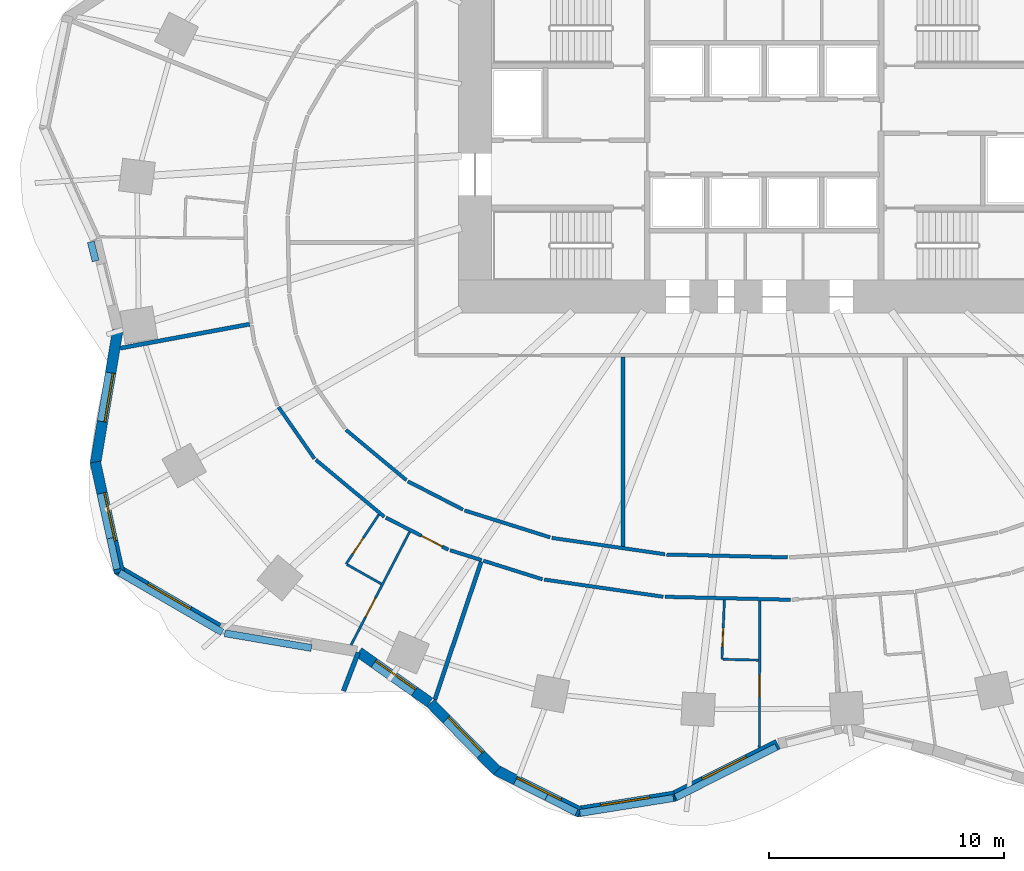
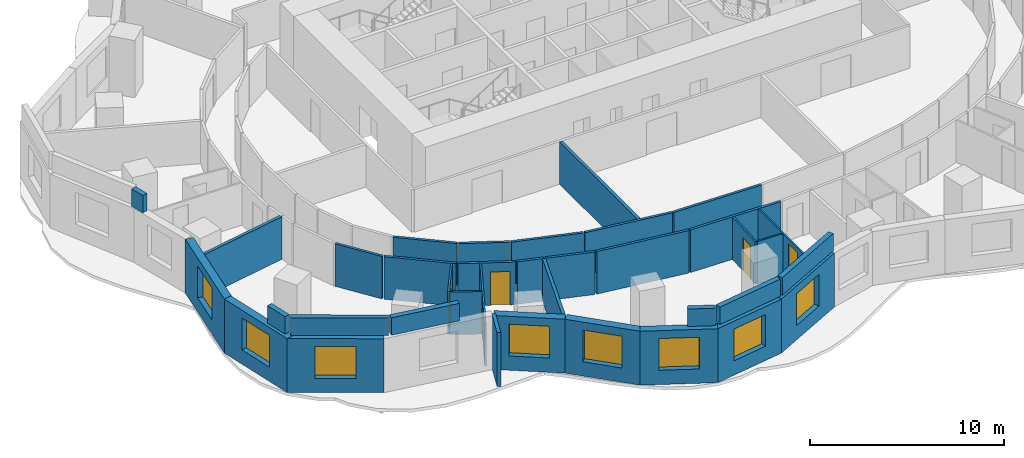
# One storey, part 3 of 11: 37 walls, 8 windows, 5 doors, 13 openings.
"""IFC4 building model written with IfcOpenShell, lengths in metres."""

from ifc_helpers import new_model, si_unit, direction, frame, frame_2d, origin, place, context, subcontext, project, spatial, rectangle, extrude, material, layer, layer_set, type_object, element, fill, save


model = new_model("IFC4")

# Units and contexts
model_context = context("Model", 3, precision=1e-05, world=origin(), true_north=direction((0.0, 1.0)))
body_context = subcontext(model_context, "Body", "Model", "MODEL_VIEW")
ifc_project = project(units=[si_unit("LENGTHUNIT", "METRE"), si_unit("AREAUNIT", "SQUARE_METRE"), si_unit("VOLUMEUNIT", "CUBIC_METRE"), si_unit("PLANEANGLEUNIT", "RADIAN"), si_unit("MASSUNIT", "GRAM", prefix="KILO")], contexts=[model_context])

# Site, building, storey
site_placement = place(None, origin())
site = spatial("IfcSite", under=ifc_project, at=site_placement, CompositionType="ELEMENT")
building_placement = place(site_placement, origin())
building = spatial("IfcBuilding", under=site, at=building_placement, Name="Rubra Terraces Tower", CompositionType="ELEMENT")
storey_placement = place(building_placement, frame((0.0, 0.0, 66.300048828125)))
storey = spatial("IfcBuildingStorey", under=building, at=storey_placement, Name="L14", CompositionType="ELEMENT", Elevation=66.300048828125)

# Walls
ifc_material_1 = material(Name="Twin plasterboard on staggered steel stud, acoustic mineral wool", Category="steel")
ifc_layer_1 = layer(ifc_material_1, 0.175048828125)
ifc_layer_set_1 = layer_set([ifc_layer_1], Name="Twin plasterboard on staggered steel stud, acoustic mineral wool")
wall_type_1 = type_object("IfcWallType", Name="ACOUSTIC PARTY WALL 175", PredefinedType="PARTITIONING", material=ifc_layer_set_1)
wall_1_placement = place(storey_placement, frame((-27.3955078125, -4.491455078125, 0.0), z_axis=(0.0, 0.0, 1.0), x_axis=(0.983238590395, 0.182323543069, 0.0)))
element("IfcWall", 1, at=wall_1_placement, inside=storey, type_object=wall_type_1, Name="PARTITION", PredefinedType="PARTITIONING", context=body_context, shape_type="SweptSolid", body=[
    extrude(rectangle(XDim=5.59716796875, YDim=0.175048828125, at=frame_2d((2.798583984375, 0.0))), origin(), (0.0, 0.0, 1.0), 2.679931640625),
])
wall_2_placement = place(storey_placement, frame((-14.014404296875, -19.44677734375, 0.0), z_axis=(0.0, 0.0, 1.0), x_axis=(0.31884215866, 0.947807827495, 0.0)))
element("IfcWall", 2, at=wall_2_placement, inside=storey, type_object=wall_type_1, Name="PARTITION", PredefinedType="PARTITIONING", context=body_context, shape_type="SweptSolid", body=[
    extrude(rectangle(XDim=6.1884765625, YDim=0.175048828125, at=frame_2d((3.09423828125, 0.0))), origin(), (0.0, 0.0, 1.0), 2.679931640625),
])
wall_3_placement = place(storey_placement, frame((-6.0, -12.925537109375, 0.0), z_axis=(0.0, 0.0, 1.0), x_axis=(0.0, 1.0, 0.0)))
element("IfcWall", 3, at=wall_3_placement, inside=storey, type_object=wall_type_1, Name="PARTITION", PredefinedType="PARTITIONING", context=body_context, shape_type="SweptSolid", body=[
    extrude(rectangle(XDim=8.050537109375, YDim=0.175048828125, at=frame_2d((4.025390625, 0.0))), origin(), (0.0, 0.0, 1.0), 2.679931640625),
])

# Wall, opening, window
ifc_material_2 = material(Name="Brick masonry red-brown", Category="masonry")
ifc_layer_2 = layer(ifc_material_2, 0.449951171875)
ifc_layer_set_2 = layer_set([ifc_layer_2], Name="Brick masonry red-brown")
wall_type_2 = type_object("IfcWallType", Name="Brick facade wall 450", PredefinedType="SOLIDWALL", material=ifc_layer_set_2)
wall_4_placement = place(storey_placement, frame((-27.50048828125, -3.732177734375, 0.0), z_axis=(0.0, 0.0, 1.0), x_axis=(-0.165174419367, -0.986264371853, 0.0)))
wall_4 = element("IfcWall", 4, at=wall_4_placement, inside=storey, type_object=wall_type_2, Name="Facade wall L14 bay 22", PredefinedType="SOLIDWALL", context=body_context, shape_type="SweptSolid", body=[
    extrude(rectangle(XDim=5.76904296875, YDim=0.449951171875, at=frame_2d((2.884521484375, 0.0))), origin(), (0.0, 0.0, 1.0), 3.39990234375),
])
opening_1_placement = place(wall_4_placement, frame((1.83447265625, 0.0, 0.89990234375)))
opening_1 = element("IfcOpeningElement", 5, at=opening_1_placement, cuts=wall_4, Name="Opening W1", PredefinedType="OPENING", context=body_context, shape_type="SweptSolid", body=[
    extrude(rectangle(XDim=2.10009765625, YDim=2.0, at=frame_2d((1.050048828125, 1.0))), frame((0.0, 0.23486328125, 0.0), z_axis=(0.0, -1.0, 0.0), x_axis=(1.0, 0.0, 0.0)), (0.0, 0.0, 1.0), 0.469970703125),
])
ifc_material_3 = material(Name="Clear glass in aluminium frame", Category="aluminium")
window_type = type_object("IfcWindowType", Name="Fixed deep-set window 2100 x 2000", PartitioningType="SINGLE_PANEL", PredefinedType="WINDOW", material=ifc_material_3)
window_1_placement = place(opening_1_placement, origin())
window_1 = element("IfcWindow", 6, at=window_1_placement, inside=storey, type_object=window_type, Name="Window L14 bay 22", OverallHeight=2.0, OverallWidth=2.10009765625, PartitioningType="SINGLE_PANEL", PredefinedType="WINDOW", context=body_context, shape_type="SweptSolid", body=[
    extrude(rectangle(XDim=2.10009765625, YDim=2.0, at=frame_2d((1.050048828125, 1.0))), frame((0.0, 0.135009765625, 0.0), z_axis=(0.0, -1.0, 0.0), x_axis=(1.0, 0.0, 0.0)), (0.0, 0.0, 1.0), 0.06005859375),
])
fill(opening_1, window_1)

wall_5_placement = place(storey_placement, frame((-28.45556640625, -9.336669921875, 0.0), z_axis=(0.0, 0.0, 1.0), x_axis=(0.213878425795, -0.976860286315, 0.0)))
wall_5 = element("IfcWall", 7, at=wall_5_placement, inside=storey, type_object=wall_type_2, Name="Facade wall L14 bay 23", PredefinedType="SOLIDWALL", context=body_context, shape_type="SweptSolid", body=[
    extrude(rectangle(XDim=4.8125, YDim=0.449951171875, at=frame_2d((2.40625, 0.0))), origin(), (0.0, 0.0, 1.0), 3.39990234375),
])
opening_2_placement = place(wall_5_placement, frame((1.356201171875, 0.0, 0.89990234375)))
opening_2 = element("IfcOpeningElement", 8, at=opening_2_placement, cuts=wall_5, Name="Opening W1", PredefinedType="OPENING", context=body_context, shape_type="SweptSolid", body=[
    extrude(rectangle(XDim=2.10009765625, YDim=2.0, at=frame_2d((1.050048828125, 1.0))), frame((0.0, 0.23486328125, 0.0), z_axis=(0.0, -1.0, 0.0), x_axis=(1.0, 0.0, 0.0)), (0.0, 0.0, 1.0), 0.469970703125),
])
window_2_placement = place(opening_2_placement, origin())
window_2 = element("IfcWindow", 9, at=window_2_placement, inside=storey, type_object=window_type, Name="Window L14 bay 23", OverallHeight=2.0, OverallWidth=2.10009765625, PartitioningType="SINGLE_PANEL", PredefinedType="WINDOW", context=body_context, shape_type="SweptSolid", body=[
    extrude(rectangle(XDim=2.10009765625, YDim=2.0, at=frame_2d((1.050048828125, 1.0))), frame((0.0, 0.135009765625, 0.0), z_axis=(0.0, -1.0, 0.0), x_axis=(1.0, 0.0, 0.0)), (0.0, 0.0, 1.0), 0.06005859375),
])
fill(opening_2, window_2)

wall_6_placement = place(storey_placement, frame((-27.532958984375, -13.891357421875, 0.0), z_axis=(0.0, 0.0, 1.0), x_axis=(0.864657614938, -0.502361631625, 0.0)))
wall_6 = element("IfcWall", 10, at=wall_6_placement, inside=storey, type_object=wall_type_2, Name="Facade wall L14 bay 24", PredefinedType="SOLIDWALL", context=body_context, shape_type="SweptSolid", body=[
    extrude(rectangle(XDim=5.000732421875, YDim=0.449951171875, at=frame_2d((2.50048828125, 0.0))), origin(), (0.0, 0.0, 1.0), 3.39990234375),
])
opening_3_placement = place(wall_6_placement, frame((1.450439453125, 0.0, 0.89990234375)))
opening_3 = element("IfcOpeningElement", 11, at=opening_3_placement, cuts=wall_6, Name="Opening W1", PredefinedType="OPENING", context=body_context, shape_type="SweptSolid", body=[
    extrude(rectangle(XDim=2.10009765625, YDim=2.0, at=frame_2d((1.050048828125, 1.0))), frame((0.0, 0.23486328125, 0.0), z_axis=(0.0, -1.0, 0.0), x_axis=(1.0, 0.0, 0.0)), (0.0, 0.0, 1.0), 0.469970703125),
])
window_3_placement = place(opening_3_placement, origin())
window_3 = element("IfcWindow", 12, at=window_3_placement, inside=storey, type_object=window_type, Name="Window L14 bay 24", OverallHeight=2.0, OverallWidth=2.10009765625, PartitioningType="SINGLE_PANEL", PredefinedType="WINDOW", context=body_context, shape_type="SweptSolid", body=[
    extrude(rectangle(XDim=2.10009765625, YDim=2.0, at=frame_2d((1.050048828125, 1.0))), frame((0.0, 0.135009765625, 0.0), z_axis=(0.0, -1.0, 0.0), x_axis=(1.0, 0.0, 0.0)), (0.0, 0.0, 1.0), 0.06005859375),
])
fill(opening_3, window_3)

wall_7_placement = place(storey_placement, frame((-17.249267578125, -17.421875, 0.0), z_axis=(0.0, 0.0, 1.0), x_axis=(0.816589291225, -0.577219134694, 0.0)))
wall_7 = element("IfcWall", 13, at=wall_7_placement, inside=storey, type_object=wall_type_2, Name="Facade wall L14 bay 26", PredefinedType="SOLIDWALL", context=body_context, shape_type="SweptSolid", body=[
    extrude(rectangle(XDim=3.701416015625, YDim=0.449951171875, at=frame_2d((1.8505859375, 0.0))), origin(), (0.0, 0.0, 1.0), 3.39990234375),
])
opening_4_placement = place(wall_7_placement, frame((0.80078125, 0.0, 0.89990234375)))
opening_4 = element("IfcOpeningElement", 14, at=opening_4_placement, cuts=wall_7, Name="Opening W1", PredefinedType="OPENING", context=body_context, shape_type="SweptSolid", body=[
    extrude(rectangle(XDim=2.10009765625, YDim=2.0, at=frame_2d((1.050048828125, 1.0))), frame((0.0, 0.23486328125, 0.0), z_axis=(0.0, -1.0, 0.0), x_axis=(1.0, 0.0, 0.0)), (0.0, 0.0, 1.0), 0.469970703125),
])
window_4_placement = place(opening_4_placement, origin())
window_4 = element("IfcWindow", 15, at=window_4_placement, inside=storey, type_object=window_type, Name="Window L14 bay 26", OverallHeight=2.0, OverallWidth=2.10009765625, PartitioningType="SINGLE_PANEL", PredefinedType="WINDOW", context=body_context, shape_type="SweptSolid", body=[
    extrude(rectangle(XDim=2.10009765625, YDim=2.0, at=frame_2d((1.050048828125, 1.0))), frame((0.0, 0.135009765625, 0.0), z_axis=(0.0, -1.0, 0.0), x_axis=(1.0, 0.0, 0.0)), (0.0, 0.0, 1.0), 0.06005859375),
])
fill(opening_4, window_4)

wall_8_placement = place(storey_placement, frame((-14.194580078125, -19.584228515625, 0.0), z_axis=(0.0, 0.0, 1.0), x_axis=(0.69962350521, -0.714511687068, 0.0)))
wall_8 = element("IfcWall", 16, at=wall_8_placement, inside=storey, type_object=wall_type_2, Name="Facade wall L14 bay 27", PredefinedType="SOLIDWALL", context=body_context, shape_type="SweptSolid", body=[
    extrude(rectangle(XDim=4.033935546875, YDim=0.449951171875, at=frame_2d((2.01708984375, 0.0))), origin(), (0.0, 0.0, 1.0), 3.39990234375),
])
opening_5_placement = place(wall_8_placement, frame((0.967041015625, 0.0, 0.89990234375)))
opening_5 = element("IfcOpeningElement", 17, at=opening_5_placement, cuts=wall_8, Name="Opening W1", PredefinedType="OPENING", context=body_context, shape_type="SweptSolid", body=[
    extrude(rectangle(XDim=2.10009765625, YDim=2.0, at=frame_2d((1.050048828125, 1.0))), frame((0.0, 0.23486328125, 0.0), z_axis=(0.0, -1.0, 0.0), x_axis=(1.0, 0.0, 0.0)), (0.0, 0.0, 1.0), 0.469970703125),
])
window_5_placement = place(opening_5_placement, origin())
window_5 = element("IfcWindow", 18, at=window_5_placement, inside=storey, type_object=window_type, Name="Window L14 bay 27", OverallHeight=2.0, OverallWidth=2.10009765625, PartitioningType="SINGLE_PANEL", PredefinedType="WINDOW", context=body_context, shape_type="SweptSolid", body=[
    extrude(rectangle(XDim=2.10009765625, YDim=2.0, at=frame_2d((1.050048828125, 1.0))), frame((0.0, 0.135009765625, 0.0), z_axis=(0.0, -1.0, 0.0), x_axis=(1.0, 0.0, 0.0)), (0.0, 0.0, 1.0), 0.06005859375),
])
fill(opening_5, window_5)

wall_9_placement = place(storey_placement, frame((-11.427978515625, -22.427001953125, 0.0), z_axis=(0.0, 0.0, 1.0), x_axis=(0.893343208735, -0.449375023122, 0.0)))
wall_9 = element("IfcWall", 19, at=wall_9_placement, inside=storey, type_object=wall_type_2, Name="Facade wall L14 bay 28", PredefinedType="SOLIDWALL", context=body_context, shape_type="SweptSolid", body=[
    extrude(rectangle(XDim=4.018798828125, YDim=0.449951171875, at=frame_2d((2.00927734375, 0.0))), origin(), (0.0, 0.0, 1.0), 3.39990234375),
])
opening_6_placement = place(wall_9_placement, frame((0.959228515625, 0.0, 0.89990234375)))
opening_6 = element("IfcOpeningElement", 20, at=opening_6_placement, cuts=wall_9, Name="Opening W1", PredefinedType="OPENING", context=body_context, shape_type="SweptSolid", body=[
    extrude(rectangle(XDim=2.10009765625, YDim=2.0, at=frame_2d((1.050048828125, 1.0))), frame((0.0, 0.23486328125, 0.0), z_axis=(0.0, -1.0, 0.0), x_axis=(1.0, 0.0, 0.0)), (0.0, 0.0, 1.0), 0.469970703125),
])
window_6_placement = place(opening_6_placement, origin())
window_6 = element("IfcWindow", 21, at=window_6_placement, inside=storey, type_object=window_type, Name="Window L14 bay 28", OverallHeight=2.0, OverallWidth=2.10009765625, PartitioningType="SINGLE_PANEL", PredefinedType="WINDOW", context=body_context, shape_type="SweptSolid", body=[
    extrude(rectangle(XDim=2.10009765625, YDim=2.0, at=frame_2d((1.050048828125, 1.0))), frame((0.0, 0.135009765625, 0.0), z_axis=(0.0, -1.0, 0.0), x_axis=(1.0, 0.0, 0.0)), (0.0, 0.0, 1.0), 0.06005859375),
])
fill(opening_6, window_6)

wall_10_placement = place(storey_placement, frame((-7.974609375, -24.2119140625, 0.0), z_axis=(0.0, 0.0, 1.0), x_axis=(0.987470607744, 0.157803038125, 0.0)))
wall_10 = element("IfcWall", 22, at=wall_10_placement, inside=storey, type_object=wall_type_2, Name="Facade wall L14 bay 29", PredefinedType="SOLIDWALL", context=body_context, shape_type="SweptSolid", body=[
    extrude(rectangle(XDim=4.2158203125, YDim=0.449951171875, at=frame_2d((2.10791015625, 0.0))), origin(), (0.0, 0.0, 1.0), 3.39990234375),
])
opening_7_placement = place(wall_10_placement, frame((1.057861328125, 0.0, 0.89990234375)))
opening_7 = element("IfcOpeningElement", 23, at=opening_7_placement, cuts=wall_10, Name="Opening W1", PredefinedType="OPENING", context=body_context, shape_type="SweptSolid", body=[
    extrude(rectangle(XDim=2.10009765625, YDim=2.0, at=frame_2d((1.050048828125, 1.0))), frame((0.0, 0.23486328125, 0.0), z_axis=(0.0, -1.0, 0.0), x_axis=(1.0, 0.0, 0.0)), (0.0, 0.0, 1.0), 0.469970703125),
])
window_7_placement = place(opening_7_placement, origin())
window_7 = element("IfcWindow", 24, at=window_7_placement, inside=storey, type_object=window_type, Name="Window L14 bay 29", OverallHeight=2.0, OverallWidth=2.10009765625, PartitioningType="SINGLE_PANEL", PredefinedType="WINDOW", context=body_context, shape_type="SweptSolid", body=[
    extrude(rectangle(XDim=2.10009765625, YDim=2.0, at=frame_2d((1.050048828125, 1.0))), frame((0.0, 0.135009765625, 0.0), z_axis=(0.0, -1.0, 0.0), x_axis=(1.0, 0.0, 0.0)), (0.0, 0.0, 1.0), 0.06005859375),
])
fill(opening_7, window_7)

wall_11_placement = place(storey_placement, frame((-3.876708984375, -23.567626953125, 0.0), z_axis=(0.0, 0.0, 1.0), x_axis=(0.894241088759, 0.447585606532, 0.0)))
wall_11 = element("IfcWall", 25, at=wall_11_placement, inside=storey, type_object=wall_type_2, Name="Facade wall L14 bay 30", PredefinedType="SOLIDWALL", context=body_context, shape_type="SweptSolid", body=[
    extrude(rectangle(XDim=4.987060546875, YDim=0.449951171875, at=frame_2d((2.49365234375, 0.0))), origin(), (0.0, 0.0, 1.0), 3.39990234375),
])
opening_8_placement = place(wall_11_placement, frame((1.443603515625, 0.0, 0.89990234375)))
opening_8 = element("IfcOpeningElement", 26, at=opening_8_placement, cuts=wall_11, Name="Opening W1", PredefinedType="OPENING", context=body_context, shape_type="SweptSolid", body=[
    extrude(rectangle(XDim=2.10009765625, YDim=2.0, at=frame_2d((1.050048828125, 1.0))), frame((0.0, 0.23486328125, 0.0), z_axis=(0.0, -1.0, 0.0), x_axis=(1.0, 0.0, 0.0)), (0.0, 0.0, 1.0), 0.469970703125),
])
window_8_placement = place(opening_8_placement, origin())
window_8 = element("IfcWindow", 27, at=window_8_placement, inside=storey, type_object=window_type, Name="Window L14 bay 30", OverallHeight=2.0, OverallWidth=2.10009765625, PartitioningType="SINGLE_PANEL", PredefinedType="WINDOW", context=body_context, shape_type="SweptSolid", body=[
    extrude(rectangle(XDim=2.10009765625, YDim=2.0, at=frame_2d((1.050048828125, 1.0))), frame((0.0, 0.135009765625, 0.0), z_axis=(0.0, -1.0, 0.0), x_axis=(1.0, 0.0, 0.0)), (0.0, 0.0, 1.0), 0.06005859375),
])
fill(opening_8, window_8)

# Walls
ifc_layer_3 = layer(ifc_material_2, 0.300048828125)
ifc_layer_set_3 = layer_set([ifc_layer_3], Name="Brick masonry red-brown")
wall_type_3 = type_object("IfcWallType", Name="Brick parapet 300", PredefinedType="PARAPET", material=ifc_layer_set_3)
wall_12_placement = place(storey_placement, frame((-28.64208984375, 0.029296875, 3.599853515625), z_axis=(0.0, 0.0, 1.0), x_axis=(0.239775825721, -0.970828282138, 0.0)))
element("IfcWall", 28, at=wall_12_placement, inside=storey, type_object=wall_type_3, Name="Parapet L14 bay 21", PredefinedType="PARAPET", context=body_context, shape_type="SweptSolid", body=[
    extrude(rectangle(XDim=0.8330078125, YDim=0.300048828125, at=frame_2d((0.41650390625, 0.0))), origin(), (0.0, 0.0, 1.0), 1.10009765625),
])
wall_13_placement = place(storey_placement, frame((-27.82275390625, -12.577392578125, 3.599853515625), z_axis=(0.0, 0.0, 1.0), x_axis=(0.213826357694, -0.976871684898, 0.0)))
element("IfcWall", 29, at=wall_13_placement, inside=storey, type_object=wall_type_3, Name="Parapet L14 bay 23", PredefinedType="PARAPET", context=body_context, shape_type="SweptSolid", body=[
    extrude(rectangle(XDim=1.349609375, YDim=0.300048828125, at=frame_2d((0.6748046875, 0.0))), origin(), (0.0, 0.0, 1.0), 1.10009765625),
])
wall_14_placement = place(storey_placement, frame((-27.4306640625, -14.03759765625, 3.599853515625), z_axis=(0.0, 0.0, 1.0), x_axis=(0.864664590165, -0.502349625773, 0.0)))
element("IfcWall", 30, at=wall_14_placement, inside=storey, type_object=wall_type_3, Name="Parapet L14 bay 24", PredefinedType="PARAPET", context=body_context, shape_type="SweptSolid", body=[
    extrude(rectangle(XDim=5.061279296875, YDim=0.300048828125, at=frame_2d((2.53076171875, 0.0))), origin(), (0.0, 0.0, 1.0), 1.10009765625),
])
wall_15_placement = place(storey_placement, frame((-22.94873046875, -16.6181640625, 3.599853515625), z_axis=(0.0, 0.0, 1.0), x_axis=(0.985859727788, -0.167572662229, 0.0)))
element("IfcWall", 31, at=wall_15_placement, inside=storey, type_object=wall_type_3, Name="Parapet L14 bay 25", PredefinedType="PARAPET", context=body_context, shape_type="SweptSolid", body=[
    extrude(rectangle(XDim=3.741455078125, YDim=0.300048828125, at=frame_2d((1.87060546875, 0.0))), origin(), (0.0, 0.0, 1.0), 1.10009765625),
])
wall_16_placement = place(storey_placement, frame((-9.26708984375, -23.597900390625, 3.599853515625), z_axis=(0.0, 0.0, 1.0), x_axis=(0.893335936782, -0.449389479242, 0.0)))
element("IfcWall", 32, at=wall_16_placement, inside=storey, type_object=wall_type_3, Name="Parapet L14 bay 28", PredefinedType="PARAPET", context=body_context, shape_type="SweptSolid", body=[
    extrude(rectangle(XDim=1.435302734375, YDim=0.300048828125, at=frame_2d((0.7177734375, 0.0))), origin(), (0.0, 0.0, 1.0), 1.10009765625),
])
wall_17_placement = place(storey_placement, frame((-7.83740234375, -24.265869140625, 3.599853515625), z_axis=(0.0, 0.0, 1.0), x_axis=(0.987476564543, 0.157765758254, 0.0)))
element("IfcWall", 33, at=wall_17_placement, inside=storey, type_object=wall_type_3, Name="Parapet L14 bay 29", PredefinedType="PARAPET", context=body_context, shape_type="SweptSolid", body=[
    extrude(rectangle(XDim=4.02490234375, YDim=0.300048828125, at=frame_2d((2.012451171875, 0.0))), origin(), (0.0, 0.0, 1.0), 1.10009765625),
])
wall_18_placement = place(storey_placement, frame((-3.762939453125, -23.5986328125, 3.599853515625), z_axis=(0.0, 0.0, 1.0), x_axis=(0.894243576514, 0.447580636158, 0.0)))
element("IfcWall", 34, at=wall_18_placement, inside=storey, type_object=wall_type_3, Name="Parapet L14 bay 30", PredefinedType="PARAPET", context=body_context, shape_type="SweptSolid", body=[
    extrude(rectangle(XDim=4.78857421875, YDim=0.300048828125, at=frame_2d((2.394287109375, 0.0))), origin(), (0.0, 0.0, 1.0), 1.10009765625),
])
ifc_layer_4 = layer(ifc_material_2, 0.199951171875)
ifc_layer_set_4 = layer_set([ifc_layer_4], Name="Brick masonry red-brown")
wall_type_4 = type_object("IfcWallType", Name="Brick wind fin 200", PredefinedType="SOLIDWALL", material=ifc_layer_set_4)
wall_19_placement = place(storey_placement, frame((-17.26904296875, -17.43994140625, 0.0), z_axis=(0.0, 0.0, 1.0), x_axis=(-0.359381039836, -0.933190906624, 0.0)))
element("IfcWall", 35, at=wall_19_placement, inside=storey, type_object=wall_type_4, Name="Wind fin L14 16", PredefinedType="SOLIDWALL", context=body_context, shape_type="SweptSolid", body=[
    extrude(rectangle(XDim=1.75, YDim=0.199951171875, at=frame_2d((0.875, 0.0))), origin(), (0.0, 0.0, 1.0), 3.39990234375),
])
ifc_material_4 = material(Name="Plasterboard on steel stud, mineral wool infill", Category="steel")
ifc_layer_5 = layer(ifc_material_4, 0.14990234375)
ifc_layer_set_5 = layer_set([ifc_layer_5], Name="Plasterboard on steel stud, mineral wool infill")
wall_type_5 = type_object("IfcWallType", Name="CORRIDOR PARTITION 150", PredefinedType="PARTITIONING", material=ifc_layer_set_5)
wall_20_placement = place(storey_placement, frame((-20.658203125, -7.00048828125, 0.0), z_axis=(0.0, 0.0, 1.0), x_axis=(0.571227800085, -0.820791569407, 0.0)))
element("IfcWall", 36, at=wall_20_placement, inside=storey, type_object=wall_type_5, Name="PARTITION", PredefinedType="PARTITIONING", context=body_context, shape_type="SweptSolid", body=[
    extrude(rectangle(XDim=2.671630859375, YDim=0.14990234375, at=frame_2d((1.3359375, 0.0))), origin(), (0.0, 0.0, 1.0), 2.679931640625),
])
wall_21_placement = place(storey_placement, frame((-19.07421875, -9.2412109375, 0.0), z_axis=(0.0, 0.0, 1.0), x_axis=(0.768812565259, -0.639474189863, 0.0)))
element("IfcWall", 37, at=wall_21_placement, inside=storey, type_object=wall_type_5, Name="PARTITION", PredefinedType="PARTITIONING", context=body_context, shape_type="SweptSolid", body=[
    extrude(rectangle(XDim=3.788330078125, YDim=0.14990234375, at=frame_2d((1.89404296875, 0.0))), origin(), (0.0, 0.0, 1.0), 2.679931640625),
])

# Wall, opening, door
wall_22_placement = place(storey_placement, frame((-16.094970703125, -11.697998046875, 0.0), z_axis=(0.0, 0.0, 1.0), x_axis=(0.88955984693, -0.456818649717, 0.0)))
wall_22 = element("IfcWall", 38, at=wall_22_placement, inside=storey, type_object=wall_type_5, Name="PARTITION", PredefinedType="PARTITIONING", context=body_context, shape_type="SweptSolid", body=[
    extrude(rectangle(XDim=2.9912109375, YDim=0.14990234375, at=frame_2d((1.49560546875, 0.0))), origin(), (0.0, 0.0, 1.0), 2.679931640625),
])
opening_9_placement = place(wall_22_placement, frame((1.699951171875, 0.0, 0.0)))
opening_9 = element("IfcOpeningElement", 39, at=opening_9_placement, cuts=wall_22, Name="Opening 14-116", PredefinedType="OPENING", context=body_context, shape_type="SweptSolid", body=[
    extrude(rectangle(XDim=1.0, YDim=2.10009765625, at=frame_2d((0.5, 1.050048828125))), frame((0.0, 0.0849609375, 0.0), z_axis=(0.0, -1.0, 0.0), x_axis=(1.0, 0.0, 0.0)), (0.0, 0.0, 1.0), 0.169921875),
])
ifc_material_5 = material(Name="Painted timber door leaf", Category="wood")
door_type_1 = type_object("IfcDoorType", Name="ROOM DOOR 1000 X 2100", OperationType="SINGLE_SWING_LEFT", PredefinedType="DOOR", material=ifc_material_5)
door_1_placement = place(opening_9_placement, origin())
door_1 = element("IfcDoor", 40, at=door_1_placement, inside=storey, type_object=door_type_1, Name="DOOR 14-116", OperationType="SINGLE_SWING_RIGHT", OverallHeight=2.10009765625, OverallWidth=1.0, PredefinedType="DOOR", context=body_context, shape_type="SweptSolid", body=[
    extrude(rectangle(XDim=1.0, YDim=2.10009765625, at=frame_2d((0.5, 1.050048828125))), frame((0.0, 0.02490234375, 0.0), z_axis=(0.0, -1.0, 0.0), x_axis=(1.0, 0.0, 0.0)), (0.0, 0.0, 1.0), 0.050048828125),
])
fill(opening_9, door_1)

# Walls
wall_23_placement = place(storey_placement, frame((-13.36279296875, -13.0869140625, 0.0), z_axis=(0.0, 0.0, 1.0), x_axis=(0.95389606241, -0.300137138853, 0.0)))
element("IfcWall", 41, at=wall_23_placement, inside=storey, type_object=wall_type_5, Name="PARTITION", PredefinedType="PARTITIONING", context=body_context, shape_type="SweptSolid", body=[
    extrude(rectangle(XDim=1.410400390625, YDim=0.14990234375, at=frame_2d((0.705078125, 0.0))), origin(), (0.0, 0.0, 1.0), 2.679931640625),
])
wall_24_placement = place(storey_placement, frame((-11.94580078125, -13.53271484375, 0.0), z_axis=(0.0, 0.0, 1.0), x_axis=(0.95388072649, -0.300185875136, 0.0)))
element("IfcWall", 42, at=wall_24_placement, inside=storey, type_object=wall_type_5, Name="PARTITION", PredefinedType="PARTITIONING", context=body_context, shape_type="SweptSolid", body=[
    extrude(rectangle(XDim=2.632568359375, YDim=0.14990234375, at=frame_2d((1.31640625, 0.0))), origin(), (0.0, 0.0, 1.0), 2.679931640625),
])
wall_25_placement = place(storey_placement, frame((-9.3603515625, -14.33349609375, 0.0), z_axis=(0.0, 0.0, 1.0), x_axis=(0.989708543436, -0.143097865286, 0.0)))
element("IfcWall", 43, at=wall_25_placement, inside=storey, type_object=wall_type_5, Name="PARTITION", PredefinedType="PARTITIONING", context=body_context, shape_type="SweptSolid", body=[
    extrude(rectangle(XDim=5.11669921875, YDim=0.14990234375, at=frame_2d((2.558349609375, 0.0))), origin(), (0.0, 0.0, 1.0), 2.679931640625),
])
wall_26_placement = place(storey_placement, frame((-4.221435546875, -15.0673828125, 0.0), z_axis=(0.0, 0.0, 1.0), x_axis=(0.999716725606, -0.023800599639, 0.0)))
element("IfcWall", 44, at=wall_26_placement, inside=storey, type_object=wall_type_5, Name="PARTITION", PredefinedType="PARTITIONING", context=body_context, shape_type="SweptSolid", body=[
    extrude(rectangle(XDim=5.333984375, YDim=0.14990234375, at=frame_2d((2.6669921875, 0.0))), origin(), (0.0, 0.0, 1.0), 2.679931640625),
])
wall_27_placement = place(storey_placement, frame((1.00048828125, -13.39111328125, 0.0), z_axis=(0.0, 0.0, 1.0), x_axis=(-0.999717667096, 0.023761020505, 0.0)))
element("IfcWall", 45, at=wall_27_placement, inside=storey, type_object=wall_type_5, Name="PARTITION", PredefinedType="PARTITIONING", context=body_context, shape_type="SweptSolid", body=[
    extrude(rectangle(XDim=5.147705078125, YDim=0.14990234375, at=frame_2d((2.57373046875, 0.0))), origin(), (0.0, 0.0, 1.0), 2.679931640625),
])
wall_28_placement = place(storey_placement, frame((-4.219970703125, -13.258056640625, 0.0), z_axis=(0.0, 0.0, 1.0), x_axis=(-0.98971114365, 0.143079880258, 0.0)))
element("IfcWall", 46, at=wall_28_placement, inside=storey, type_object=wall_type_5, Name="PARTITION", PredefinedType="PARTITIONING", context=body_context, shape_type="SweptSolid", body=[
    extrude(rectangle(XDim=4.863037109375, YDim=0.14990234375, at=frame_2d((2.431640625, 0.0))), origin(), (0.0, 0.0, 1.0), 2.679931640625),
])
wall_29_placement = place(storey_placement, frame((-9.1044921875, -12.539794921875, 0.0), z_axis=(0.0, 0.0, 1.0), x_axis=(-0.953891280763, 0.300152335464, 0.0)))
element("IfcWall", 47, at=wall_29_placement, inside=storey, type_object=wall_type_5, Name="PARTITION", PredefinedType="PARTITIONING", context=body_context, shape_type="SweptSolid", body=[
    extrude(rectangle(XDim=3.819580078125, YDim=0.14990234375, at=frame_2d((1.90966796875, 0.0))), origin(), (0.0, 0.0, 1.0), 2.679931640625),
])
wall_30_placement = place(storey_placement, frame((-12.814697265625, -11.35888671875, 0.0), z_axis=(0.0, 0.0, 1.0), x_axis=(-0.889622877315, 0.456695890236, 0.0)))
element("IfcWall", 48, at=wall_30_placement, inside=storey, type_object=wall_type_5, Name="PARTITION", PredefinedType="PARTITIONING", context=body_context, shape_type="SweptSolid", body=[
    extrude(rectangle(XDim=2.6396484375, YDim=0.14990234375, at=frame_2d((1.31982421875, 0.0))), origin(), (0.0, 0.0, 1.0), 2.679931640625),
])
wall_31_placement = place(storey_placement, frame((-15.220703125, -10.105224609375, 0.0), z_axis=(0.0, 0.0, 1.0), x_axis=(-0.768812916989, 0.639473766992, 0.0)))
element("IfcWall", 49, at=wall_31_placement, inside=storey, type_object=wall_type_5, Name="PARTITION", PredefinedType="PARTITIONING", context=body_context, shape_type="SweptSolid", body=[
    extrude(rectangle(XDim=3.3466796875, YDim=0.14990234375, at=frame_2d((1.67333984375, 0.0))), origin(), (0.0, 0.0, 1.0), 2.679931640625),
])

# Wall, opening, door
ifc_material_6 = material(Name="Plasterboard on steel stud", Category="steel")
ifc_layer_6 = layer(ifc_material_6, 0.10009765625)
ifc_layer_set_6 = layer_set([ifc_layer_6], Name="Plasterboard on steel stud")
wall_type_6 = type_object("IfcWallType", Name="ROOM PARTITION 100", PredefinedType="PARTITIONING", material=ifc_layer_set_6)
wall_32_placement = place(storey_placement, frame((-17.57470703125, -17.118408203125, 0.0), z_axis=(0.0, 0.0, 1.0), x_axis=(0.459775633783, 0.888035115623, 0.0)))
wall_32 = element("IfcWall", 50, at=wall_32_placement, inside=storey, type_object=wall_type_6, Name="PARTITION", PredefinedType="PARTITIONING", context=body_context, shape_type="SweptSolid", body=[
    extrude(rectangle(XDim=5.422607421875, YDim=0.10009765625, at=frame_2d((2.71142578125, 0.0))), origin(), (0.0, 0.0, 1.0), 2.679931640625),
])
opening_10_placement = place(wall_32_placement, frame((1.347900390625, 0.0, 0.0)))
opening_10 = element("IfcOpeningElement", 51, at=opening_10_placement, cuts=wall_32, Name="Opening 14-115", PredefinedType="OPENING", context=body_context, shape_type="SweptSolid", body=[
    extrude(rectangle(XDim=0.89990234375, YDim=2.39990234375, at=frame_2d((0.449951171875, 1.199951171875))), frame((0.0, 0.06005859375, 0.0), z_axis=(0.0, -1.0, 0.0), x_axis=(1.0, 0.0, 0.0)), (0.0, 0.0, 1.0), 0.1201171875),
])
ifc_material_7 = material(Name="Veneered timber door leaf, fire-rated", Category="wood")
door_type_2 = type_object("IfcDoorType", Name="SUITE ENTRANCE DOOR 900 X 2400", OperationType="SINGLE_SWING_LEFT", PredefinedType="DOOR", material=ifc_material_7)
door_2_placement = place(opening_10_placement, origin())
door_2 = element("IfcDoor", 52, at=door_2_placement, inside=storey, type_object=door_type_2, Name="DOOR 14-115", OperationType="SINGLE_SWING_LEFT", OverallHeight=2.39990234375, OverallWidth=0.89990234375, PredefinedType="DOOR", context=body_context, shape_type="SweptSolid", body=[
    extrude(rectangle(XDim=0.89990234375, YDim=2.39990234375, at=frame_2d((0.449951171875, 1.199951171875))), frame((0.0, 0.02490234375, 0.0), z_axis=(0.0, -1.0, 0.0), x_axis=(1.0, 0.0, 0.0)), (0.0, 0.0, 1.0), 0.050048828125),
])
fill(opening_10, door_2)

wall_33_placement = place(storey_placement, frame((-16.392822265625, -11.568359375, 0.0), z_axis=(0.0, 0.0, 1.0), x_axis=(-0.552534144139, -0.833490263627, 0.0)))
wall_33 = element("IfcWall", 53, at=wall_33_placement, inside=storey, type_object=wall_type_6, Name="PARTITION", PredefinedType="PARTITIONING", context=body_context, shape_type="SweptSolid", body=[
    extrude(rectangle(XDim=2.525146484375, YDim=0.10009765625, at=frame_2d((1.2626953125, 0.0))), origin(), (0.0, 0.0, 1.0), 2.679931640625),
])
opening_11_placement = place(wall_33_placement, frame((1.199951171875, 0.0, 0.0)))
opening_11 = element("IfcOpeningElement", 54, at=opening_11_placement, cuts=wall_33, Name="Opening 14-114", PredefinedType="OPENING", context=body_context, shape_type="SweptSolid", body=[
    extrude(rectangle(XDim=0.800048828125, YDim=2.10009765625, at=frame_2d((0.39990234375, 1.050048828125))), frame((0.0, 0.06005859375, 0.0), z_axis=(0.0, -1.0, 0.0), x_axis=(1.0, 0.0, 0.0)), (0.0, 0.0, 1.0), 0.1201171875),
])
door_type_3 = type_object("IfcDoorType", Name="BATHROOM DOOR 800 X 2100", OperationType="SINGLE_SWING_LEFT", PredefinedType="DOOR", material=ifc_material_5)
door_3_placement = place(opening_11_placement, origin())
door_3 = element("IfcDoor", 55, at=door_3_placement, inside=storey, type_object=door_type_3, Name="DOOR 14-114", OperationType="SINGLE_SWING_LEFT", OverallHeight=2.10009765625, OverallWidth=0.800048828125, PredefinedType="DOOR", context=body_context, shape_type="SweptSolid", body=[
    extrude(rectangle(XDim=0.800048828125, YDim=2.10009765625, at=frame_2d((0.39990234375, 1.050048828125))), frame((0.0, 0.02490234375, 0.0), z_axis=(0.0, -1.0, 0.0), x_axis=(1.0, 0.0, 0.0)), (0.0, 0.0, 1.0), 0.050048828125),
])
fill(opening_11, door_3)

# Wall
wall_34_placement = place(storey_placement, frame((-17.74462890625, -13.697509765625, 0.0), z_axis=(0.0, 0.0, 1.0), x_axis=(0.870948077087, -0.491375057383, 0.0)))
element("IfcWall", 56, at=wall_34_placement, inside=storey, type_object=wall_type_6, Name="PARTITION", PredefinedType="PARTITIONING", context=body_context, shape_type="SweptSolid", body=[
    extrude(rectangle(XDim=1.6748046875, YDim=0.10009765625, at=frame_2d((0.83740234375, 0.0))), origin(), (0.0, 0.0, 1.0), 2.679931640625),
])

# Wall, opening, door
wall_35_placement = place(storey_placement, frame((-0.202880859375, -21.472900390625, 0.0), z_axis=(0.0, 0.0, 1.0), x_axis=(0.00203625689, 0.999997926827, 0.0)))
wall_35 = element("IfcWall", 57, at=wall_35_placement, inside=storey, type_object=wall_type_6, Name="PARTITION", PredefinedType="PARTITIONING", context=body_context, shape_type="SweptSolid", body=[
    extrude(rectangle(XDim=6.234619140625, YDim=0.10009765625, at=frame_2d((3.1171875, 0.0))), origin(), (0.0, 0.0, 1.0), 2.679931640625),
])
opening_12_placement = place(wall_35_placement, frame((2.158935546875, 0.0, 0.0)))
opening_12 = element("IfcOpeningElement", 58, at=opening_12_placement, cuts=wall_35, Name="Opening 14-118", PredefinedType="OPENING", context=body_context, shape_type="SweptSolid", body=[
    extrude(rectangle(XDim=0.89990234375, YDim=2.39990234375, at=frame_2d((0.449951171875, 1.199951171875))), frame((0.0, 0.06005859375, 0.0), z_axis=(0.0, -1.0, 0.0), x_axis=(1.0, 0.0, 0.0)), (0.0, 0.0, 1.0), 0.1201171875),
])
door_4_placement = place(opening_12_placement, origin())
door_4 = element("IfcDoor", 59, at=door_4_placement, inside=storey, type_object=door_type_2, Name="DOOR 14-118", OperationType="SINGLE_SWING_LEFT", OverallHeight=2.39990234375, OverallWidth=0.89990234375, PredefinedType="DOOR", context=body_context, shape_type="SweptSolid", body=[
    extrude(rectangle(XDim=0.89990234375, YDim=2.39990234375, at=frame_2d((0.449951171875, 1.199951171875))), frame((0.0, 0.02490234375, 0.0), z_axis=(0.0, -1.0, 0.0), x_axis=(1.0, 0.0, 0.0)), (0.0, 0.0, 1.0), 0.050048828125),
])
fill(opening_12, door_4)

wall_36_placement = place(storey_placement, frame((-1.692626953125, -15.20263671875, 0.0), z_axis=(0.0, 0.0, 1.0), x_axis=(-0.041867833866, -0.999123157818, 0.0)))
wall_36 = element("IfcWall", 60, at=wall_36_placement, inside=storey, type_object=wall_type_6, Name="PARTITION", PredefinedType="PARTITIONING", context=body_context, shape_type="SweptSolid", body=[
    extrude(rectangle(XDim=2.52490234375, YDim=0.10009765625, at=frame_2d((1.262451171875, 0.0))), origin(), (0.0, 0.0, 1.0), 2.679931640625),
])
opening_13_placement = place(wall_36_placement, frame((1.199951171875, 0.0, 0.0)))
opening_13 = element("IfcOpeningElement", 61, at=opening_13_placement, cuts=wall_36, Name="Opening 14-117", PredefinedType="OPENING", context=body_context, shape_type="SweptSolid", body=[
    extrude(rectangle(XDim=0.800048828125, YDim=2.10009765625, at=frame_2d((0.39990234375, 1.050048828125))), frame((0.0, 0.06005859375, 0.0), z_axis=(0.0, -1.0, 0.0), x_axis=(1.0, 0.0, 0.0)), (0.0, 0.0, 1.0), 0.1201171875),
])
door_5_placement = place(opening_13_placement, origin())
door_5 = element("IfcDoor", 62, at=door_5_placement, inside=storey, type_object=door_type_3, Name="DOOR 14-117", OperationType="SINGLE_SWING_LEFT", OverallHeight=2.10009765625, OverallWidth=0.800048828125, PredefinedType="DOOR", context=body_context, shape_type="SweptSolid", body=[
    extrude(rectangle(XDim=0.800048828125, YDim=2.10009765625, at=frame_2d((0.39990234375, 1.050048828125))), frame((0.0, 0.02490234375, 0.0), z_axis=(0.0, -1.0, 0.0), x_axis=(1.0, 0.0, 0.0)), (0.0, 0.0, 1.0), 0.050048828125),
])
fill(opening_13, door_5)

# Wall
wall_37_placement = place(storey_placement, frame((-1.748291015625, -17.7265625, 0.0), z_axis=(0.0, 0.0, 1.0), x_axis=(0.99971887768, -0.023710031862, 0.0)))
element("IfcWall", 63, at=wall_37_placement, inside=storey, type_object=wall_type_6, Name="PARTITION", PredefinedType="PARTITIONING", context=body_context, shape_type="SweptSolid", body=[
    extrude(rectangle(XDim=1.50341796875, YDim=0.10009765625, at=frame_2d((0.751708984375, 0.0))), origin(), (0.0, 0.0, 1.0), 2.679931640625),
])

save(model, "model.ifc")
